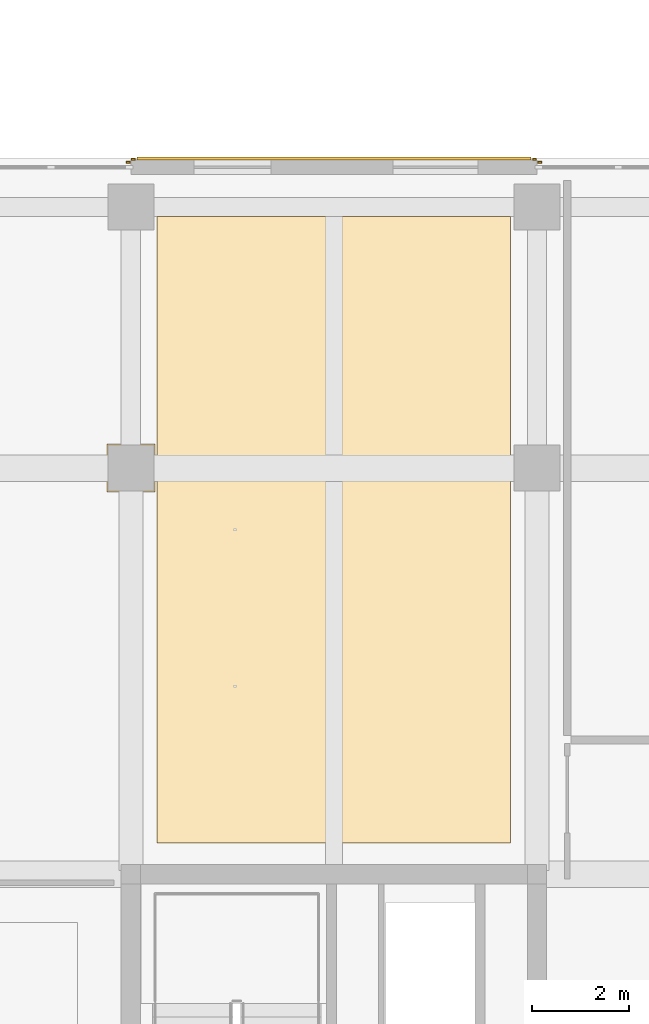
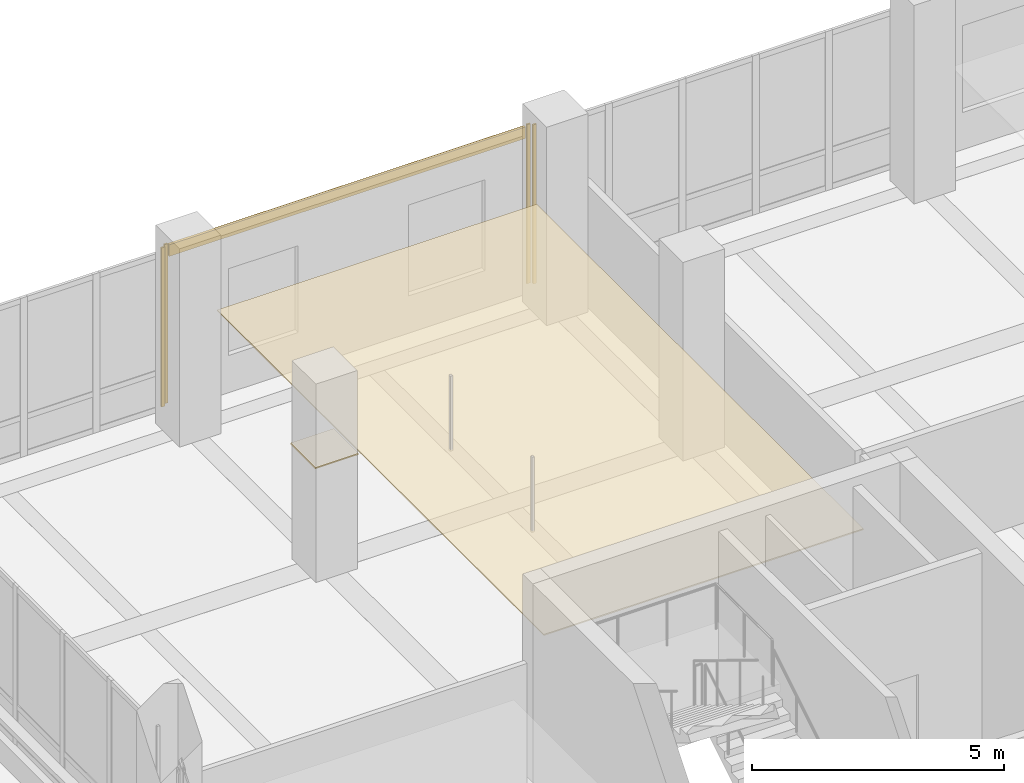
# One storey, part 103 of 128: 6 coverings.
"""IFC4 building model written with IfcOpenShell, lengths in metres."""

from ifc_helpers import new_model, si_unit, direction, frame, origin, origin_2d, place, context, subcontext, project, spatial, polyline, rectangle, outline, extrude, material, layer, layer_set, type_object, element, save


model = new_model("IFC4")

# Units and contexts
model_context = context("Model", 3, precision=1e-05, world=origin(), true_north=direction((0.0, 1.0)))
body_context = subcontext(model_context, "Body", "Model", "MODEL_VIEW")
ifc_project = project(units=[si_unit("LENGTHUNIT", "METRE"), si_unit("AREAUNIT", "SQUARE_METRE"), si_unit("VOLUMEUNIT", "CUBIC_METRE"), si_unit("PLANEANGLEUNIT", "RADIAN"), si_unit("MASSUNIT", "GRAM", prefix="KILO")], contexts=[model_context])

# Site, building, storey
site_placement = place(None, origin())
site = spatial("IfcSite", under=ifc_project, at=site_placement, CompositionType="ELEMENT")
building_placement = place(site_placement, origin())
building = spatial("IfcBuilding", under=site, at=building_placement, Name="Telukmera Botanical Conservatory", CompositionType="ELEMENT")
storey_placement = place(building_placement, frame((0.0, 0.0, 5.39990234375)))
storey = spatial("IfcBuildingStorey", under=building, at=storey_placement, Name="L01", CompositionType="ELEMENT", Elevation=5.39990234375)

# Coverings
ifc_material_1 = material(Name="Mineral fibre acoustic ceiling")
ifc_layer_1 = layer(ifc_material_1, 0.030029296875)
ifc_layer_set_1 = layer_set([ifc_layer_1], Name="Mineral fibre acoustic ceiling")
covering_type_1 = type_object("IfcCoveringType", Name="COV-CEIL-30", PredefinedType="CEILING", material=ifc_layer_set_1)
covering_1_placement = place(storey_placement, frame((0.0, 0.0, 2.77001953125)))
element("IfcCovering", 1, at=covering_1_placement, inside=storey, type_object=covering_type_1, Name="L01 Rare Botanical Prints Gallery Suspended Acoustic Ceiling", PredefinedType="CEILING", context=body_context, shape_type="SweptSolid", body=[
    extrude(outline(polyline([(59.344970703125, 35.050048828125), (66.655029296875, 35.050048828125), (66.655029296875, 48.0), (59.344970703125, 48.0), (59.344970703125, 35.050048828125)]), holes=[polyline([(58.304931640625, 42.304931640625), (59.294921875, 42.304931640625), (59.294921875, 43.294921875), (58.304931640625, 43.294921875), (58.304931640625, 42.304931640625)])]), origin(), (0.0, 0.0, 1.0), 0.030029296875),
])
ifc_material_2 = material(Name="Granite-faced precast concrete C40/50", Category="masonry")
ifc_layer_2 = layer(ifc_material_2, 0.0400390625)
ifc_layer_set_2 = layer_set([ifc_layer_2], Name="Granite-faced precast concrete C40/50")
covering_type_2 = type_object("IfcCoveringType", Name="Granite Precast Column Pier Reveal Casing", PredefinedType="CLADDING", material=ifc_layer_set_2)
for number, where, z_axis, x_axis, name in (
    (2, (58.748046875, 49.1201171875, 0.0), (0.0, 0.0, 1.0), (1.0, 0.0, 0.0), "Granite Pier Reveal V4:L01:N1 R"),
    (3, (58.85205078125, 49.18994140625, 0.0), (0.0, 0.0, 1.0), (1.0, 0.0, 0.0), "Granite Pier Reveal V4:L01:N2 L"),
    (4, (67.14794921875, 49.18994140625, 0.0), (0.0, 0.0, 1.0), (1.0, 0.0, 0.0), "Granite Pier Reveal V4:L01:N2 R"),
    (5, (67.251953125, 49.1201171875, 0.0), (0.0, 0.0, 1.0), (1.0, 0.0, 0.0), "Granite Pier Reveal V4:L01:N3 L"),
):
    element("IfcCovering", number, at=place(storey_placement, frame(where, z_axis=z_axis, x_axis=x_axis)), inside=storey, type_object=covering_type_2, Name=name, PredefinedType="CLADDING", context=body_context, shape_type="SweptSolid", body=[
        extrude(rectangle(XDim=0.080078125, YDim=0.0400390625, at=origin_2d()), origin(), (0.0, 0.0, 1.0), 3.85009765625),
    ])
ifc_material_3 = material(Name="Terracotta-faced precast concrete C40/50", Category="masonry")
ifc_layer_3 = layer(ifc_material_3, 0.06005859375)
ifc_layer_set_3 = layer_set([ifc_layer_3], Name="Terracotta-faced precast concrete C40/50")
covering_type_3 = type_object("IfcCoveringType", Name="Polychrome Terracotta Facade Band Cladding", PredefinedType="CLADDING", material=ifc_layer_set_3)
covering_2_placement = place(storey_placement, frame((63.0, 49.199951171875, 3.5302734375), z_axis=(0.0, 0.0, 1.0), x_axis=(1.0, 0.0, 0.0)))
element("IfcCovering", 6, at=covering_2_placement, inside=storey, type_object=covering_type_3, Name="Polychrome Terracotta Band V4:L01:N2", PredefinedType="CLADDING", context=body_context, shape_type="SweptSolid", body=[
    extrude(rectangle(XDim=8.156005859375, YDim=0.06005859375, at=origin_2d()), origin(), (0.0, 0.0, 1.0), 0.280029296875),
])

save(model, "model.ifc")
